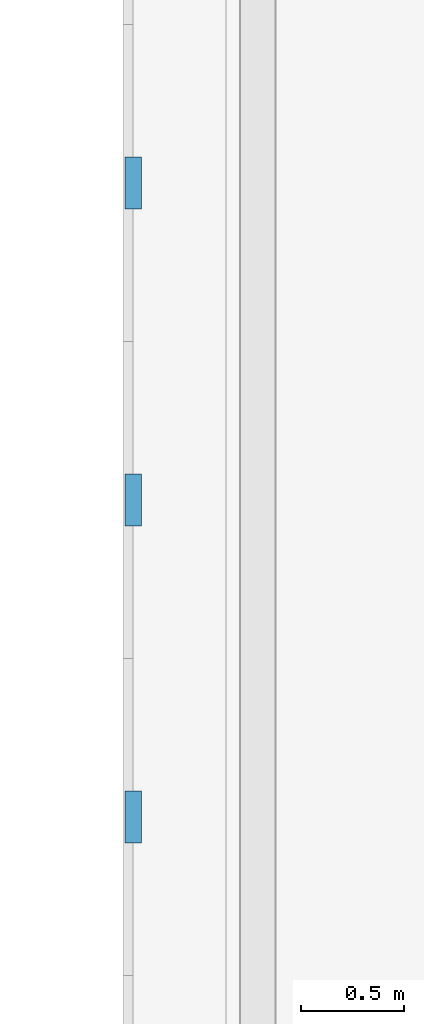
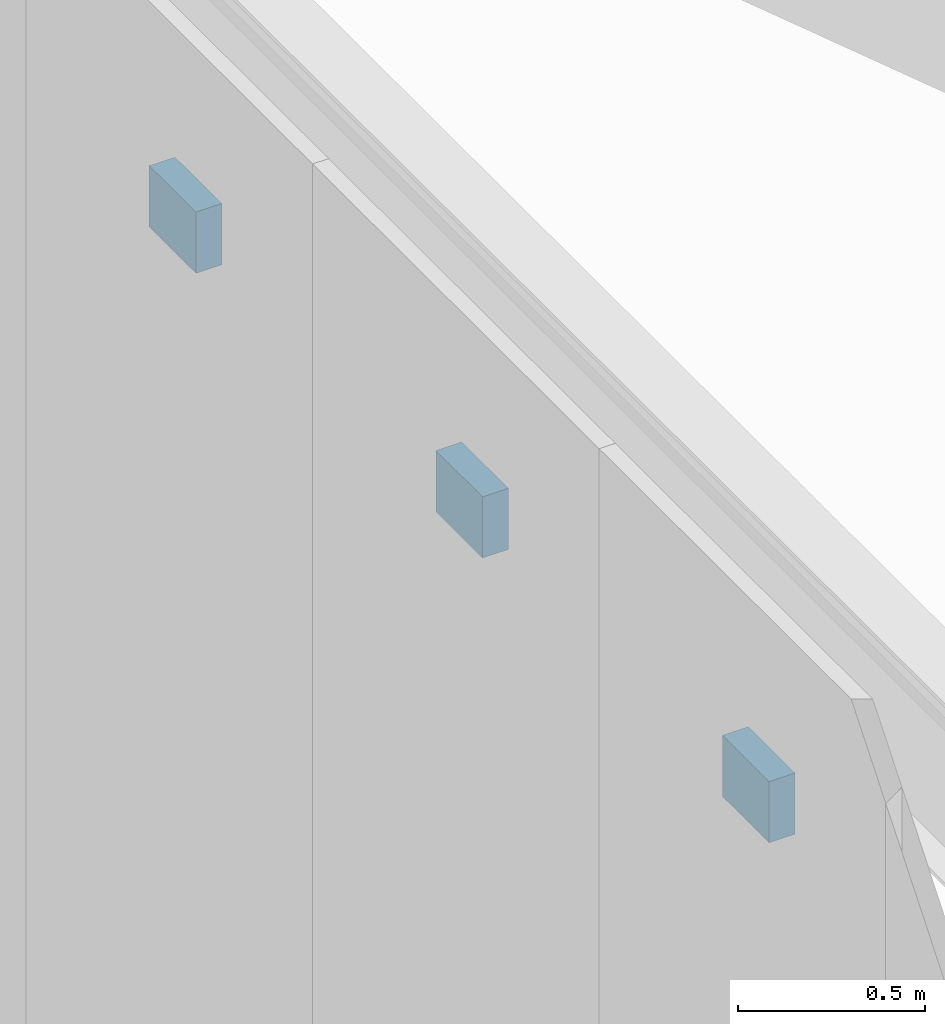
# One storey, part 150 of 278: 3 discrete accessories.
"""IFC4 building model written with IfcOpenShell, lengths in metres."""

from ifc_helpers import new_model, si_unit, direction, frame, origin, origin_2d, place, context, subcontext, project, spatial, rectangle, extrude, material, layer, layer_set, type_object, element, save


model = new_model("IFC4")

# Units and contexts
model_context = context("Model", 3, precision=1e-05, world=origin(), true_north=direction((0.0, 1.0)))
body_context = subcontext(model_context, "Body", "Model", "MODEL_VIEW")
ifc_project = project(units=[si_unit("LENGTHUNIT", "METRE"), si_unit("AREAUNIT", "SQUARE_METRE"), si_unit("VOLUMEUNIT", "CUBIC_METRE"), si_unit("PLANEANGLEUNIT", "RADIAN"), si_unit("MASSUNIT", "GRAM", prefix="KILO")], contexts=[model_context])

# Site, building, storey
site_placement = place(None, origin())
site = spatial("IfcSite", under=ifc_project, at=site_placement, CompositionType="ELEMENT")
building_placement = place(site_placement, origin())
building = spatial("IfcBuilding", under=site, at=building_placement, Name="Ogive Plaza Stadium", CompositionType="ELEMENT")
storey_placement = place(building_placement, frame((0.0, 0.0, 29.0)))
storey = spatial("IfcBuildingStorey", under=building, at=storey_placement, Name="Roof", CompositionType="ELEMENT", Elevation=29.0)

# Discrete accessories
ifc_material = material(Name="Steel ASTM A572 Grade 50", Category="steel")
ifc_layer = layer(ifc_material, 0.080078125)
ifc_layer_set = layer_set([ifc_layer], Name="Steel ASTM A572 Grade 50")
discrete_accessory_type = type_object("IfcDiscreteAccessoryType", Name="Tracery screen bracket 250x200", PredefinedType="BRACKET", material=ifc_layer_set)
for number, where, z_axis, x_axis, name in (
    (1, (-84.602294921875, -34.60009765625, 5.25), (0.0, 0.0, 1.0), (0.0, 1.0, 0.0), "TRACERY SCREEN BRACKET B22 2"),
    (2, (-84.602294921875, -33.066650390625, 5.25), (0.0, 0.0, 1.0), (0.0, 1.0, 0.0), "TRACERY SCREEN BRACKET B22 3"),
    (3, (-84.602294921875, -31.533203125, 5.25), (0.0, 0.0, 1.0), (0.0, 1.0, 0.0), "TRACERY SCREEN BRACKET B22 4"),
):
    element("IfcDiscreteAccessory", number, at=place(storey_placement, frame(where, z_axis=z_axis, x_axis=x_axis)), inside=storey, type_object=discrete_accessory_type, Name=name, PredefinedType="BRACKET", context=body_context, shape_type="SweptSolid", body=[
        extrude(rectangle(XDim=0.25, YDim=0.080078125, at=origin_2d()), origin(), (0.0, 0.0, 1.0), 0.199951171875),
    ])

save(model, "model.ifc")
